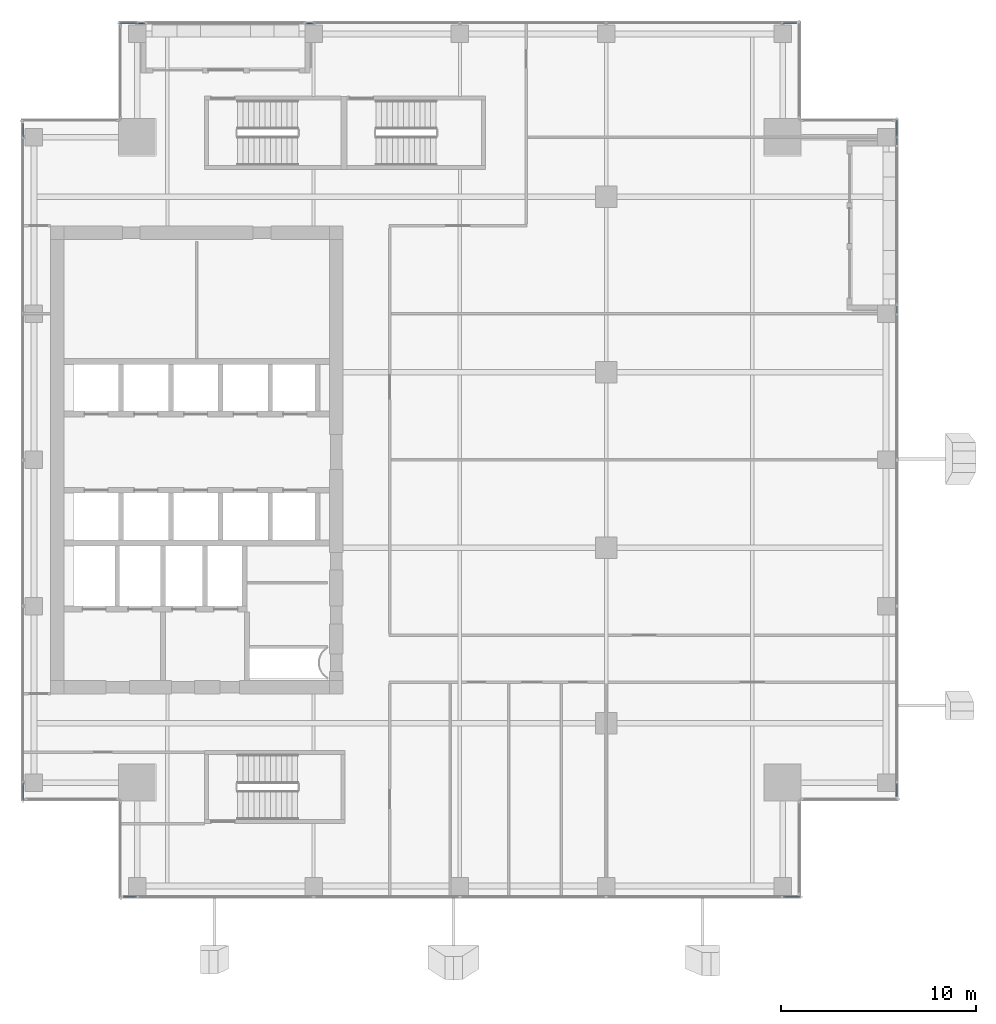
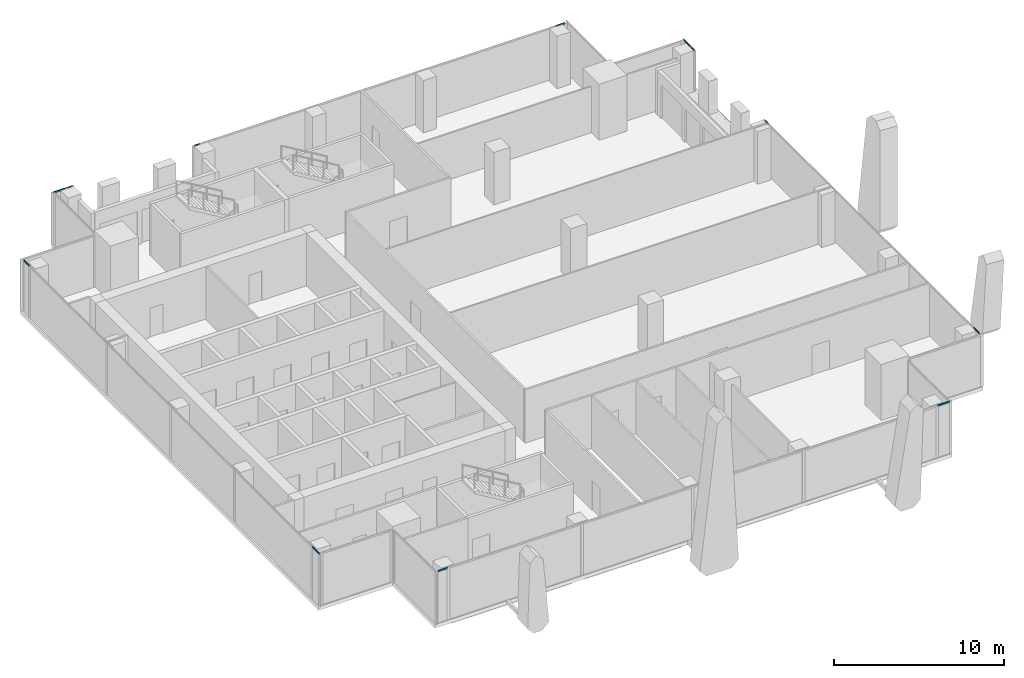
# One storey, part 24 of 35: 12 members, 6 elements without a shape of their own.
"""IFC4 building model written with IfcOpenShell, lengths in metres."""

from ifc_helpers import new_model, si_unit, direction, frame, origin, origin_2d, place, context, subcontext, project, spatial, hollow_rectangle, extrude, source, transform, mapped, material, material_profile, profile_set, type_object, element, aggregate, save


model = new_model("IFC4")

# Units and contexts
model_context = context("Model", 3, precision=1e-05, world=origin(), true_north=direction((0.0, 1.0)))
body_context = subcontext(model_context, "Body", "Model", "MODEL_VIEW")
ifc_project = project(units=[si_unit("LENGTHUNIT", "METRE"), si_unit("AREAUNIT", "SQUARE_METRE"), si_unit("VOLUMEUNIT", "CUBIC_METRE"), si_unit("PLANEANGLEUNIT", "RADIAN"), si_unit("MASSUNIT", "GRAM", prefix="KILO")], contexts=[model_context])

# Site, building, storey
site_placement = place(None, origin())
site = spatial("IfcSite", under=ifc_project, at=site_placement, CompositionType="ELEMENT")
building_placement = place(site_placement, origin())
building = spatial("IfcBuilding", under=site, at=building_placement, Name="Khomas Fold Tower", CompositionType="ELEMENT")
storey_placement = place(building_placement, frame((0.0, 0.0, 250.199951171875)))
storey = spatial("IfcBuildingStorey", under=building, at=storey_placement, Name="L56", CompositionType="ELEMENT", Elevation=250.199951171875)

# Curtain wall, member
ifc_material_1 = material(Name="Aluminium framed double glazing", Category="aluminium")
curtain_wall_type = type_object("IfcCurtainWallType", Name="SK-Unitised clear-glass wall, office floors CW2", PredefinedType="NOTDEFINED", material=ifc_material_1)
curtain_wall_1_placement = place(storey_placement, origin())
curtain_wall_1 = element("IfcCurtainWall", 1, at=curtain_wall_1_placement, inside=storey, type_object=curtain_wall_type, Name="CW2 run L56 00-0", PredefinedType="NOTDEFINED")
ifc_material_2 = material(Name="Aluminium", Category="aluminium")
ifc_material_profile = material_profile(ifc_material_2, hollow_rectangle(XDim=0.050048828125, YDim=0.110107421875, WallThickness=0.00390625, at=origin_2d()), Name="SK-Unitised clear-glass wall, office floors transom CW2-T")
ifc_profile_set = profile_set([ifc_material_profile], Name="Aluminium")
member_type = type_object("IfcMemberType", Name="SK-Unitised clear-glass wall, office floors transom CW2-T", PredefinedType="USERDEFINED", material=ifc_profile_set)
shared_shape_1 = source(origin(), body_context, "Body", "SweptSolid", [
    extrude(hollow_rectangle(XDim=0.050048828125, YDim=0.110107421875, WallThickness=0.00390625, at=origin_2d()), origin(), (0.0, 0.0, 1.0), 0.659912109375),
])
member_1_placement = place(storey_placement, frame((9.760009765625, 4.60009765625, 3.695068359375), z_axis=(1.0, 0.0, 0.0), x_axis=(0.0, 1.0, 0.0)))
member_1 = element("IfcMember", 2, at=member_1_placement, type_object=member_type, Name="CW2 transom 1", ObjectType="TRANSOM", PredefinedType="USERDEFINED", context=body_context, shape_type="MappedRepresentation", body=[
    mapped(shared_shape_1, transform((0.0, 0.0, 0.0))),
])

curtain_wall_2_placement = place(storey_placement, origin())
curtain_wall_2 = element("IfcCurtainWall", 3, at=curtain_wall_2_placement, inside=storey, type_object=curtain_wall_type, Name="CW2 run L56 03-0", PredefinedType="NOTDEFINED")
member_2_placement = place(storey_placement, frame((49.39990234375, 9.760009765625, 3.695068359375), z_axis=(0.0, 1.0, 0.0), x_axis=(-1.0, 0.0, 0.0)))
member_2 = element("IfcMember", 4, at=member_2_placement, type_object=member_type, Name="CW2 transom 1", ObjectType="TRANSOM", PredefinedType="USERDEFINED", context=body_context, shape_type="MappedRepresentation", body=[
    mapped(shared_shape_1, transform((0.0, 0.0, 0.0))),
])

curtain_wall_3_placement = place(storey_placement, origin())
curtain_wall_3 = element("IfcCurtainWall", 5, at=curtain_wall_3_placement, inside=storey, type_object=curtain_wall_type, Name="CW2 run L56 06-0", PredefinedType="NOTDEFINED")
member_3_placement = place(storey_placement, frame((44.239990234375, 49.39990234375, 3.695068359375), z_axis=(-1.0, 0.0, 0.0), x_axis=(0.0, -1.0, 0.0)))
member_3 = element("IfcMember", 6, at=member_3_placement, type_object=member_type, Name="CW2 transom 1", ObjectType="TRANSOM", PredefinedType="USERDEFINED", context=body_context, shape_type="MappedRepresentation", body=[
    mapped(shared_shape_1, transform((0.0, 0.0, 0.0))),
])

curtain_wall_4_placement = place(storey_placement, origin())
curtain_wall_4 = element("IfcCurtainWall", 7, at=curtain_wall_4_placement, inside=storey, type_object=curtain_wall_type, Name="CW2 run L56 09-0", PredefinedType="NOTDEFINED")
member_4_placement = place(storey_placement, frame((4.60009765625, 44.239990234375, 3.695068359375), z_axis=(0.0, -1.0, 0.0), x_axis=(1.0, 0.0, 0.0)))
member_4 = element("IfcMember", 8, at=member_4_placement, type_object=member_type, Name="CW2 transom 1", ObjectType="TRANSOM", PredefinedType="USERDEFINED", context=body_context, shape_type="MappedRepresentation", body=[
    mapped(shared_shape_1, transform((0.0, 0.0, 0.0))),
])

# Member
shared_shape_2 = source(origin(), body_context, "Body", "SweptSolid", [
    extrude(hollow_rectangle(XDim=0.050048828125, YDim=0.110107421875, WallThickness=0.00390625, at=origin_2d()), origin(), (0.0, 0.0, 1.0), 0.85986328125),
])
member_5_placement = place(storey_placement, frame((43.580078125, 4.60009765625, 3.695068359375), z_axis=(1.0, 0.0, 0.0), x_axis=(0.0, 1.0, 0.0)))
member_5 = element("IfcMember", 9, at=member_5_placement, type_object=member_type, Name="CW2 transom 6", ObjectType="TRANSOM", PredefinedType="USERDEFINED", context=body_context, shape_type="MappedRepresentation", body=[
    mapped(shared_shape_2, transform((0.0, 0.0, 0.0))),
])

aggregate(curtain_wall_1, [member_1, member_5])

# Curtain wall, member
curtain_wall_5_placement = place(storey_placement, origin())
curtain_wall_5 = element("IfcCurtainWall", 10, at=curtain_wall_5_placement, inside=storey, type_object=curtain_wall_type, Name="CW2 run L56 03-1", PredefinedType="NOTDEFINED")
member_6_placement = place(storey_placement, frame((49.39990234375, 43.580078125, 3.695068359375), z_axis=(0.0, 1.0, 0.0), x_axis=(-1.0, 0.0, 0.0)))
member_6 = element("IfcMember", 11, at=member_6_placement, type_object=member_type, Name="CW2 transom 2", ObjectType="TRANSOM", PredefinedType="USERDEFINED", context=body_context, shape_type="MappedRepresentation", body=[
    mapped(shared_shape_2, transform((0.0, 0.0, 0.0))),
])

curtain_wall_6_placement = place(storey_placement, origin())
curtain_wall_6 = element("IfcCurtainWall", 12, at=curtain_wall_6_placement, inside=storey, type_object=curtain_wall_type, Name="CW2 run L56 06-1", PredefinedType="NOTDEFINED")
member_7_placement = place(storey_placement, frame((10.419921875, 49.39990234375, 3.695068359375), z_axis=(-1.0, 0.0, 0.0), x_axis=(0.0, -1.0, 0.0)))
member_7 = element("IfcMember", 13, at=member_7_placement, type_object=member_type, Name="CW2 transom 2", ObjectType="TRANSOM", PredefinedType="USERDEFINED", context=body_context, shape_type="MappedRepresentation", body=[
    mapped(shared_shape_2, transform((0.0, 0.0, 0.0))),
])

# Member
member_8_placement = place(storey_placement, frame((4.60009765625, 10.419921875, 3.695068359375), z_axis=(0.0, -1.0, 0.0), x_axis=(1.0, 0.0, 0.0)))
member_8 = element("IfcMember", 14, at=member_8_placement, type_object=member_type, Name="CW2 transom 6", ObjectType="TRANSOM", PredefinedType="USERDEFINED", context=body_context, shape_type="MappedRepresentation", body=[
    mapped(shared_shape_2, transform((0.0, 0.0, 0.0))),
])

aggregate(curtain_wall_4, [member_4, member_8])

shared_shape_3 = source(origin(), body_context, "Body", "SweptSolid", [
    extrude(hollow_rectangle(XDim=0.050048828125, YDim=0.110107421875, WallThickness=0.00390625, at=origin_2d()), origin(), (0.0, 0.0, 1.0), 0.35986328125),
])
member_9_placement = place(storey_placement, frame((49.39990234375, 34.530029296875, 3.695068359375), z_axis=(0.0, 1.0, 0.0), x_axis=(-1.0, 0.0, 0.0)))
member_9 = element("IfcMember", 15, at=member_9_placement, type_object=member_type, Name="CW2 transom 5", ObjectType="TRANSOM", PredefinedType="USERDEFINED", context=body_context, shape_type="MappedRepresentation", body=[
    mapped(shared_shape_3, transform((0.0, 0.0, 0.0))),
])

aggregate(curtain_wall_2, [member_2, member_9])

member_10_placement = place(storey_placement, frame((19.469970703125, 49.39990234375, 3.695068359375), z_axis=(-1.0, 0.0, 0.0), x_axis=(0.0, -1.0, 0.0)))
member_10 = element("IfcMember", 16, at=member_10_placement, type_object=member_type, Name="CW2 transom 5", ObjectType="TRANSOM", PredefinedType="USERDEFINED", context=body_context, shape_type="MappedRepresentation", body=[
    mapped(shared_shape_3, transform((0.0, 0.0, 0.0))),
])

aggregate(curtain_wall_3, [member_3, member_10])

shared_shape_4 = source(origin(), body_context, "Body", "SweptSolid", [
    extrude(hollow_rectangle(XDim=0.050048828125, YDim=0.110107421875, WallThickness=0.00390625, at=origin_2d()), origin(), (0.0, 0.0, 1.0), 0.360107421875),
])
member_11_placement = place(storey_placement, frame((49.39990234375, 43.159912109375, 3.695068359375), z_axis=(0.0, 1.0, 0.0), x_axis=(-1.0, 0.0, 0.0)))
member_11 = element("IfcMember", 17, at=member_11_placement, type_object=member_type, Name="CW2 transom 1", ObjectType="TRANSOM", PredefinedType="USERDEFINED", context=body_context, shape_type="MappedRepresentation", body=[
    mapped(shared_shape_4, transform((0.0, 0.0, 0.0))),
])

aggregate(curtain_wall_5, [member_11, member_6])

member_12_placement = place(storey_placement, frame((10.840087890625, 49.39990234375, 3.695068359375), z_axis=(-1.0, 0.0, 0.0), x_axis=(0.0, -1.0, 0.0)))
member_12 = element("IfcMember", 18, at=member_12_placement, type_object=member_type, Name="CW2 transom 1", ObjectType="TRANSOM", PredefinedType="USERDEFINED", context=body_context, shape_type="MappedRepresentation", body=[
    mapped(shared_shape_4, transform((0.0, 0.0, 0.0))),
])

aggregate(curtain_wall_6, [member_12, member_7])

save(model, "model.ifc")
